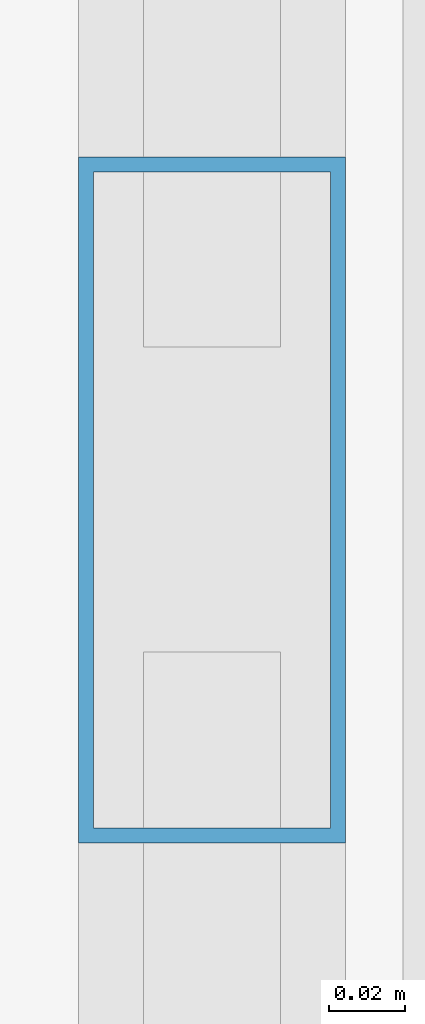
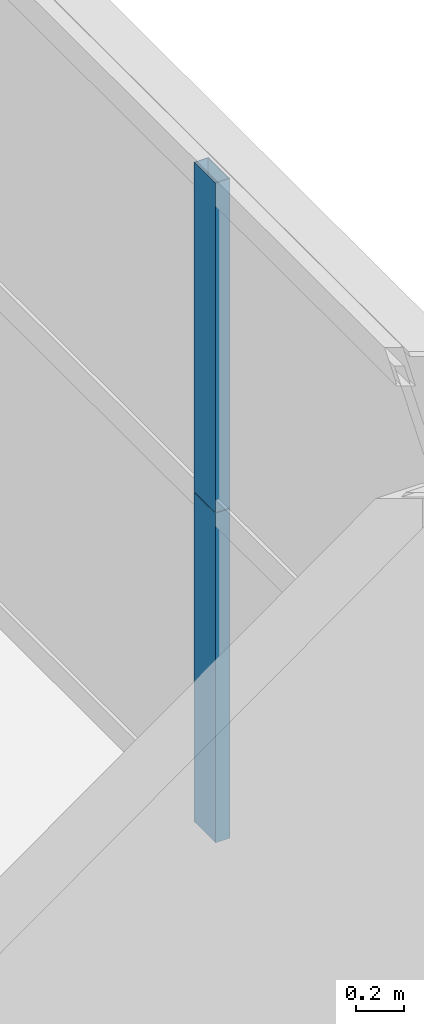
# One storey, part 30 of 41: 2 members, 1 element without a shape of its own.
"""IFC4 building model written with IfcOpenShell, lengths in metres."""

import ifcopenshell
import ifcopenshell.guid

model = None  # the IFC model being written
_history = None  # IfcOwnerHistory: only IFC2X3 demands one
_inside = {}  # id of a spatial element -> (the spatial element, [elements in it])
_under = {}  # id of a project, library or spatial element -> (it, [spatial elements below it])
_declared = {}  # id of a project -> (the project, [libraries it declares])
_typed = {}  # id of a type object -> (the type object, [elements of that type])
_made_of = {}  # id of a material, layer set ... -> (it, [elements and type objects made of it])


def new_model(schema):
    """Start an empty IFC model of exactly this schema.

    Asked for "IFC4X3", IfcOpenShell would pick the latest addendum, in which some entities
    have other attributes; the version numbers below select the first issue.
    IFC2X3 requires an IfcOwnerHistory on every rooted entity: one is made here for all.
    """
    global model, _history
    if schema == "IFC4X3":
        model = ifcopenshell.file(schema_version=(4, 3, 0, 0))
    else:
        model = ifcopenshell.file(schema=schema)
    _inside.clear()
    _under.clear()
    _declared.clear()
    _typed.clear()
    _made_of.clear()
    _history = None
    if model.schema == "IFC2X3":
        org = make("IfcOrganization", Name="unknown")
        user = make(
            "IfcPersonAndOrganization",
            ThePerson=make("IfcPerson", FamilyName="unknown"),
            TheOrganization=org,
        )
        app = make(
            "IfcApplication",
            ApplicationDeveloper=org,
            Version="unknown",
            ApplicationFullName="unknown",
            ApplicationIdentifier="unknown",
        )
        _history = make(
            "IfcOwnerHistory",
            OwningUser=user,
            OwningApplication=app,
            ChangeAction="ADDED",
            CreationDate=0,
        )
    return model


def make(cls, **values):
    """One entity of the class cls with the attributes given. An attribute that is None is left unset."""
    return model.create_entity(
        cls, **{name: value for name, value in values.items() if value is not None}
    )


def rooted(cls, **values):
    """An entity with a GlobalId (a new one), such as an element, a storey or a relation."""
    return make(cls, GlobalId=ifcopenshell.guid.new(), OwnerHistory=_history, **values)


def si_unit(unit_type, name, prefix=None):
    """IfcSIUnit, for example si_unit("LENGTHUNIT", "METRE", prefix="MILLI")."""
    return make("IfcSIUnit", UnitType=unit_type, Prefix=prefix, Name=name)


def assignment(units):
    """IfcUnitAssignment: the units of a project."""
    return None if units is None else make("IfcUnitAssignment", Units=units)


def point(xyz):
    """IfcCartesianPoint."""
    return None if xyz is None else make("IfcCartesianPoint", Coordinates=xyz)


def direction(xyz):
    """IfcDirection."""
    return None if xyz is None else make("IfcDirection", DirectionRatios=xyz)


def frame(location, z_axis=None, x_axis=None):
    """IfcAxis2Placement3D, a coordinate frame: its origin and axes. An axis left out is left unset."""
    return make(
        "IfcAxis2Placement3D",
        Location=point(location),
        Axis=direction(z_axis),
        RefDirection=direction(x_axis),
    )


def frame_2d(location, x_axis=None):
    """IfcAxis2Placement2D, a coordinate frame in the plane: its origin and x axis."""
    return make(
        "IfcAxis2Placement2D", Location=point(location), RefDirection=direction(x_axis)
    )


def origin():
    """The frame at (0, 0, 0) with its axes left unset."""
    return frame((0.0, 0.0, 0.0))


def origin_2d():
    """The frame at (0, 0) in the plane with its x axis left unset."""
    return frame_2d((0.0, 0.0))


def place(relative_to, where):
    """IfcLocalPlacement: puts the frame where relative to a parent placement (None: the world)."""
    return make(
        "IfcLocalPlacement", PlacementRelTo=relative_to, RelativePlacement=where
    )


def context(
    kind, dimensions, precision=None, world=None, true_north=None, identifier=None
):
    """IfcGeometricRepresentationContext, for example the 3D "Model" context."""
    return make(
        "IfcGeometricRepresentationContext",
        ContextIdentifier=identifier,
        ContextType=kind,
        CoordinateSpaceDimension=dimensions,
        Precision=precision,
        WorldCoordinateSystem=world,
        TrueNorth=true_north,
    )


def subcontext(parent, identifier, kind, view, scale=None):
    """IfcGeometricRepresentationSubContext, for example "Body" below "Model"."""
    return make(
        "IfcGeometricRepresentationSubContext",
        ContextIdentifier=identifier,
        ContextType=kind,
        ParentContext=parent,
        TargetScale=scale,
        TargetView=view,
    )


def project(units=None, contexts=None):
    """IfcProject with its units and contexts."""
    return rooted(
        "IfcProject",
        Name="project",
        RepresentationContexts=contexts,
        UnitsInContext=assignment(units),
    )


def spatial(cls, under=None, at=None, **own):
    """A site, building, storey or space (cls), placed at a placement, below another one or the project."""
    s = rooted(cls, ObjectPlacement=at, **own)
    if under is not None:
        _under.setdefault(under.id(), (under, []))[1].append(s)
    return s


def profile(cls, at=None, kind="AREA", **sizes):
    """A parametric profile (cls). Its sizes go by their IFC names, for example OverallWidth=200.0."""
    return make(cls, ProfileType=kind, Position=at, **sizes)


def hollow_rectangle(**sizes):
    """IfcRectangleHollowProfileDef."""
    return profile("IfcRectangleHollowProfileDef", **sizes)


def extrude(swept, where, along, depth):
    """IfcExtrudedAreaSolid: the profile swept, set in the frame where, extruded along a direction by depth."""
    return make(
        "IfcExtrudedAreaSolid",
        SweptArea=swept,
        Position=where,
        ExtrudedDirection=direction(along),
        Depth=depth,
    )


def shape(context_of_items, identifier, shape_type, items):
    """IfcShapeRepresentation: the items that make up one representation, for example the "Body"."""
    return make(
        "IfcShapeRepresentation",
        ContextOfItems=context_of_items,
        RepresentationIdentifier=identifier,
        RepresentationType=shape_type,
        Items=items,
    )


def source(mapping_origin, context_of_items, identifier, shape_type, items):
    """IfcRepresentationMap: a shape defined once, which mapped items show again and again."""
    return make(
        "IfcRepresentationMap",
        MappingOrigin=mapping_origin,
        MappedRepresentation=shape(context_of_items, identifier, shape_type, items),
    )


def transform(
    local_origin,
    x_axis=None,
    y_axis=None,
    z_axis=None,
    scale=None,
    scale2=None,
    scale3=None,
    uniform=True,
):
    """IfcCartesianTransformationOperator3D, or its non-uniform kind. x_axis, y_axis, z_axis: its Axis1, 2, 3."""
    if uniform:
        return make(
            "IfcCartesianTransformationOperator3D",
            Axis1=direction(x_axis),
            Axis2=direction(y_axis),
            LocalOrigin=point(local_origin),
            Scale=scale,
            Axis3=direction(z_axis),
        )
    return make(
        "IfcCartesianTransformationOperator3DnonUniform",
        Axis1=direction(x_axis),
        Axis2=direction(y_axis),
        LocalOrigin=point(local_origin),
        Scale=scale,
        Axis3=direction(z_axis),
        Scale2=scale2,
        Scale3=scale3,
    )


def mapped(mapping_source, mapping_target):
    """IfcMappedItem: shows the shape of a source again, moved by a transform."""
    return make(
        "IfcMappedItem", MappingSource=mapping_source, MappingTarget=mapping_target
    )


def material(Name=None, Category=None):
    """IfcMaterial."""
    return make("IfcMaterial", Name=Name, Category=Category)


def layer(
    of_material, thickness, ventilated=None, Name=None, Category=None, Priority=None
):
    """IfcMaterialLayer: one layer of a wall or slab, of a material (None: an air gap)."""
    return make(
        "IfcMaterialLayer",
        Material=of_material,
        LayerThickness=thickness,
        IsVentilated=ventilated,
        Name=Name,
        Category=Category,
        Priority=Priority,
    )


def layer_set(layers, Name=None):
    """IfcMaterialLayerSet."""
    return make("IfcMaterialLayerSet", MaterialLayers=layers, LayerSetName=Name)


def material_profile(
    of_material, cross_section, Name=None, Category=None, Priority=None
):
    """IfcMaterialProfile: a cross section and its material."""
    return make(
        "IfcMaterialProfile",
        Name=Name,
        Material=of_material,
        Profile=cross_section,
        Priority=Priority,
        Category=Category,
    )


def profile_set(profiles, Name=None, composite=None):
    """IfcMaterialProfileSet."""
    return make(
        "IfcMaterialProfileSet",
        Name=Name,
        MaterialProfiles=profiles,
        CompositeProfile=composite,
    )


def made_of(thing, what):
    """Note that an element or type object is made of a material, layer set ...; save() writes the relation."""
    if what is not None:
        _made_of.setdefault(what.id(), (what, []))[1].append(thing)
    return thing


def type_object(cls, material=None, **own):
    """A type object (cls), such as IfcWallType, which elements share."""
    return made_of(rooted(cls, **own), material)


def element(
    cls,
    number,
    at=None,
    inside=None,
    cuts=None,
    type_object=None,
    material=None,
    context=None,
    identifier="Body",
    shape_type=None,
    held_by="IfcProductDefinitionShape",
    body=None,
    shapes=None,
    **own,
):
    """One element of the class cls, such as IfcWall. Its Tag is "e" and its number.

    at: its placement. inside: the storey or other place that contains it. cuts: it is an
    opening in that element (IfcRelVoidsElement). A single representation is given by context,
    identifier, shape_type and body (its items); several are given by shapes. held_by: the class
    of the entity that holds the representations. save() writes the other relations.
    """
    e = rooted(cls, Tag="e%d" % number, ObjectPlacement=at, **own)
    if body is not None:
        shapes = [shape(context, identifier, shape_type, body)]
    if shapes is not None:
        e.Representation = make(held_by, Representations=shapes)
    if inside is not None:
        _inside.setdefault(inside.id(), (inside, []))[1].append(e)
    if cuts is not None:
        rooted(
            "IfcRelVoidsElement", RelatingBuildingElement=cuts, RelatedOpeningElement=e
        )
    if type_object is not None:
        _typed.setdefault(type_object.id(), (type_object, []))[1].append(e)
    return made_of(e, material)


def aggregate(whole, parts):
    """IfcRelAggregates: a whole, such as a stair, and the parts it consists of."""
    return rooted("IfcRelAggregates", RelatingObject=whole, RelatedObjects=parts)


def save(model, path):
    """Write the relations noted so far, then the file.

    IfcRelAggregates (storeys below a building ...), IfcRelContainedInSpatialStructure (elements
    in a storey), IfcRelDefinesByType, IfcRelAssociatesMaterial and IfcRelDeclares: one each for
    every whole, place, type object, material and project.
    """
    for whole, parts in _under.values():
        aggregate(whole, parts)
    for where, things in _inside.values():
        rooted(
            "IfcRelContainedInSpatialStructure",
            RelatedElements=things,
            RelatingStructure=where,
        )
    for kind, things in _typed.values():
        rooted("IfcRelDefinesByType", RelatedObjects=things, RelatingType=kind)
    for what, things in _made_of.values():
        rooted("IfcRelAssociatesMaterial", RelatedObjects=things, RelatingMaterial=what)
    for by, libraries in _declared.values():
        rooted("IfcRelDeclares", RelatingContext=by, RelatedDefinitions=libraries)
    model.write(path)


model = new_model("IFC4")

# Units and contexts
model_context = context("Model", 3, precision=1e-05, world=origin(), true_north=direction((0.0, 1.0)))
body_context = subcontext(model_context, "Body", "Model", "MODEL_VIEW")
ifc_project = project(units=[si_unit("LENGTHUNIT", "METRE"), si_unit("AREAUNIT", "SQUARE_METRE"), si_unit("VOLUMEUNIT", "CUBIC_METRE"), si_unit("PLANEANGLEUNIT", "RADIAN"), si_unit("MASSUNIT", "GRAM", prefix="KILO"), si_unit("THERMODYNAMICTEMPERATUREUNIT", "KELVIN"), si_unit("POWERUNIT", "WATT")], contexts=[model_context])

# Site, building, storey
site_placement = place(None, origin())
site = spatial("IfcSite", under=ifc_project, at=site_placement, CompositionType="ELEMENT")
building_placement = place(site_placement, origin())
building = spatial("IfcBuilding", under=site, at=building_placement, Name="Yuzanri Waterfront Tower", CompositionType="ELEMENT")
storey_placement = place(building_placement, frame((0.0, 0.0, 152.39990234375)))
storey = spatial("IfcBuildingStorey", under=building, at=storey_placement, Name="L40", CompositionType="ELEMENT", Elevation=152.39990234375)

# Curtain wall, members
ifc_material_1 = material(Name="Anodized Architectural Bronze", Category="metal")
ifc_layer = layer(ifc_material_1, 0.159912109375)
ifc_layer_set = layer_set([ifc_layer], Name="Anodized Architectural Bronze")
curtain_wall_type = type_object("IfcCurtainWallType", Name="Anodized Bronze Hotel Upper-Tier Solar-Control Unitized Curtain Wall 7800", PredefinedType="NOTDEFINED", material=ifc_layer_set)
curtain_wall_placement = place(storey_placement, origin())
curtain_wall = element("IfcCurtainWall", 1, at=curtain_wall_placement, inside=storey, type_object=curtain_wall_type, Name="L40 Curtain Wall CW-L40-ER", PredefinedType="NOTDEFINED")
ifc_material_2 = material(Name="Anodized Architectural Bronze", Category="metal")
ifc_material_profile = material_profile(ifc_material_2, hollow_rectangle(XDim=0.070068359375, YDim=0.179931640625, WallThickness=0.00390625, at=origin_2d()), Name="CWM 70x180")
ifc_profile_set = profile_set([ifc_material_profile], Name="Anodized Architectural Bronze")
member_type = type_object("IfcMemberType", Name="Anodized Bronze Standard Curtain-Wall Mullion 70x180", PredefinedType="MULLION", material=ifc_profile_set)
shared_shape = source(origin(), body_context, "Body", "SweptSolid", [
    extrude(hollow_rectangle(XDim=0.070068359375, YDim=0.179931640625, WallThickness=0.00390625, at=origin_2d()), origin(), (0.0, 0.0, 1.0), 1.68798828125),
])
member_1_placement = place(storey_placement, frame((60.449951171875, 34.14990234375, 0.0), z_axis=(0.0, 0.0, 1.0), x_axis=(1.0, 0.0, 0.0)))
member_1 = element("IfcMember", 2, at=member_1_placement, type_object=member_type, Name="CW-L40-ER Lower Mullion 01", PredefinedType="MULLION", context=body_context, shape_type="MappedRepresentation", body=[
    mapped(shared_shape, transform((0.0, 0.0, 0.0), scale=1.0)),
])
member_2_placement = place(storey_placement, frame((60.449951171875, 34.14990234375, 1.692138671875), z_axis=(0.0, 0.0, 1.0), x_axis=(1.0, 0.0, 0.0)))
member_2 = element("IfcMember", 3, at=member_2_placement, type_object=member_type, Name="CW-L40-ER Upper Mullion 01", PredefinedType="MULLION", context=body_context, shape_type="MappedRepresentation", body=[
    mapped(shared_shape, transform((0.0, 0.0, 0.0), scale=1.0)),
])
aggregate(curtain_wall, [member_1, member_2])

save(model, "model.ifc")
